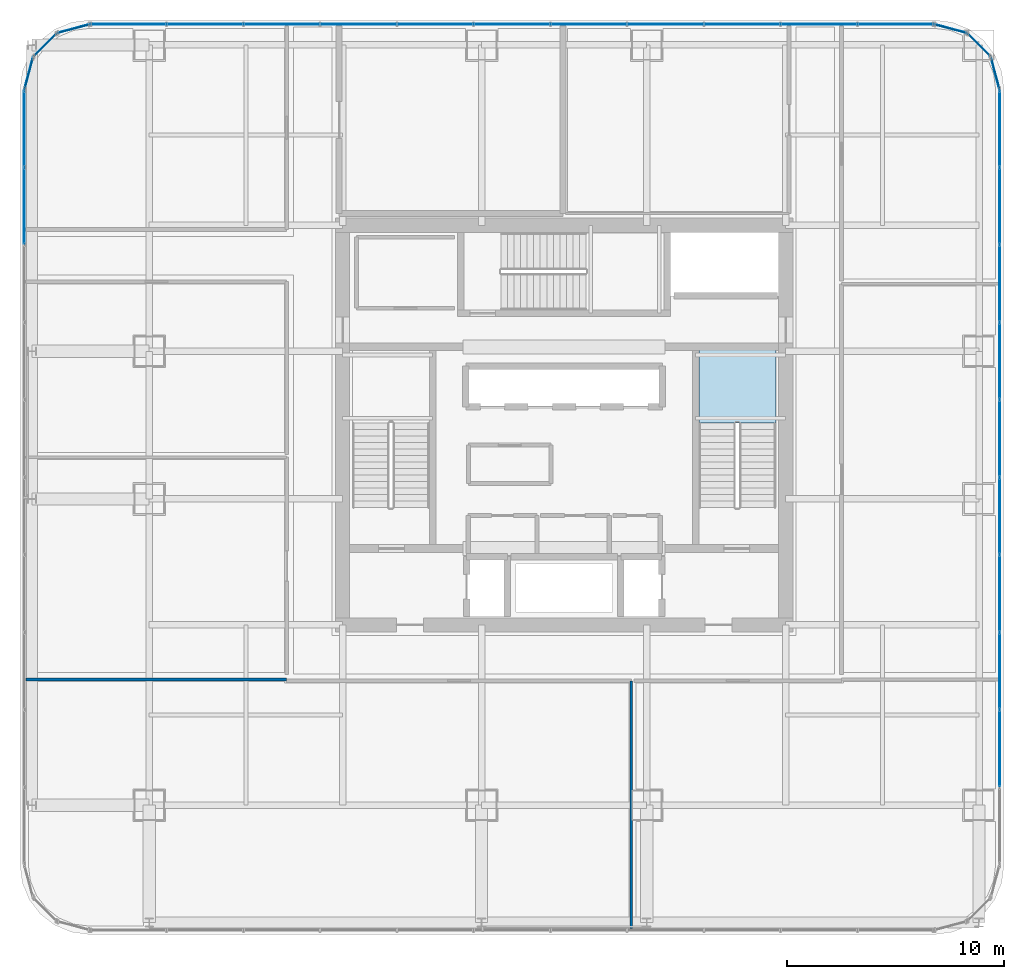
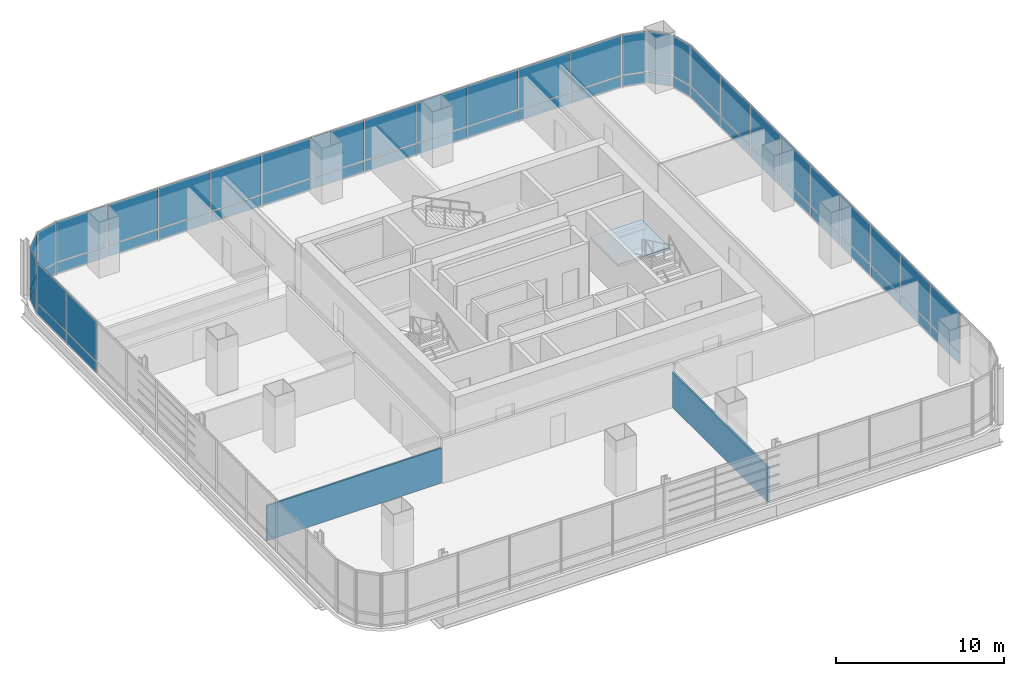
# One storey, part 28 of 36: 56 plates, 2 walls, 1 slab, 10 elements without a shape of their own.
"""IFC4 building model written with IfcOpenShell, lengths in metres."""

from ifc_helpers import new_model, si_unit, direction, frame, frame_2d, origin, origin_2d, place, context, subcontext, project, spatial, polyline, rectangle, outline, extrude, material, layer, layer_set, type_object, element, aggregate, save


model = new_model("IFC4")

# Units and contexts
model_context = context("Model", 3, precision=1e-05, world=origin(), true_north=direction((0.0, 1.0)))
body_context = subcontext(model_context, "Body", "Model", "MODEL_VIEW")
ifc_project = project(units=[si_unit("LENGTHUNIT", "METRE"), si_unit("AREAUNIT", "SQUARE_METRE"), si_unit("VOLUMEUNIT", "CUBIC_METRE"), si_unit("PLANEANGLEUNIT", "RADIAN"), si_unit("MASSUNIT", "GRAM", prefix="KILO")], contexts=[model_context])

# Site, building, storey
site_placement = place(None, origin())
site = spatial("IfcSite", under=ifc_project, at=site_placement, CompositionType="ELEMENT")
building_placement = place(site_placement, origin())
building = spatial("IfcBuilding", under=site, at=building_placement, Name="Punatoya Terracotta Tower", CompositionType="ELEMENT")
storey_placement = place(building_placement, frame((0.0, 0.0, 180.300048828125)))
storey = spatial("IfcBuildingStorey", under=building, at=storey_placement, Name="L42", CompositionType="ELEMENT", Elevation=180.300048828125)

# Curtain wall, plates
ifc_material_1 = material(Name="Aluminium 6063-T6 + Double Low-E Glass", Category="aluminium")
curtain_wall_type = type_object("IfcCurtainWallType", Name="CW-M2", PredefinedType="NOTDEFINED", material=ifc_material_1)
curtain_wall_1_placement = place(storey_placement, origin())
curtain_wall_1 = element("IfcCurtainWall", 1, at=curtain_wall_1_placement, inside=storey, type_object=curtain_wall_type, Name="L42 Curtain Wall CW-L42-E05-1", PredefinedType="NOTDEFINED")
ifc_material_2 = material(Name="Double Low-E Acoustic Vision Glass", Category="glass")
ifc_layer_1 = layer(ifc_material_2, 0.031982421875)
ifc_layer_set_1 = layer_set([ifc_layer_1], Name="Double Low-E Acoustic Vision Glass")
plate_type_1 = type_object("IfcPlateType", Name="PLT-GLZ-32", PredefinedType="CURTAIN_PANEL", material=ifc_layer_set_1)
plate_1_placement = place(storey_placement, frame((20.050048828125, -14.8857421875, 0.889892578125), z_axis=(0.0, 0.0, 1.0), x_axis=(0.0, 1.0, 0.0)))
plate_1 = element("IfcPlate", 2, at=plate_1_placement, type_object=plate_type_1, Name="CW-L42-E05-1 Vision Glass Panel 2", PredefinedType="CURTAIN_PANEL", context=body_context, shape_type="SweptSolid", body=[
    extrude(rectangle(XDim=3.482421875, YDim=0.031982421875, at=origin_2d()), origin(), (0.0, 0.0, 1.0), 2.89990234375),
])
plate_2_placement = place(storey_placement, frame((20.050048828125, -11.318359375, 0.889892578125), z_axis=(0.0, 0.0, 1.0), x_axis=(0.0, 1.0, 0.0)))
plate_2 = element("IfcPlate", 3, at=plate_2_placement, type_object=plate_type_1, Name="CW-L42-E05-1 Vision Glass Panel 3", PredefinedType="CURTAIN_PANEL", context=body_context, shape_type="SweptSolid", body=[
    extrude(rectangle(XDim=3.482421875, YDim=0.031982421875, at=origin_2d()), origin(), (0.0, 0.0, 1.0), 2.89990234375),
])
plate_3_placement = place(storey_placement, frame((20.050048828125, -7.751220703125, 0.889892578125), z_axis=(0.0, 0.0, 1.0), x_axis=(0.0, 1.0, 0.0)))
plate_3 = element("IfcPlate", 4, at=plate_3_placement, type_object=plate_type_1, Name="CW-L42-E05-1 Vision Glass Panel 4", PredefinedType="CURTAIN_PANEL", context=body_context, shape_type="SweptSolid", body=[
    extrude(rectangle(XDim=3.482421875, YDim=0.031982421875, at=origin_2d()), origin(), (0.0, 0.0, 1.0), 2.89990234375),
])
plate_4_placement = place(storey_placement, frame((20.050048828125, -4.18359375, 0.889892578125), z_axis=(0.0, 0.0, 1.0), x_axis=(0.0, 1.0, 0.0)))
plate_4 = element("IfcPlate", 5, at=plate_4_placement, type_object=plate_type_1, Name="CW-L42-E05-1 Vision Glass Panel 5", PredefinedType="CURTAIN_PANEL", context=body_context, shape_type="SweptSolid", body=[
    extrude(rectangle(XDim=3.482421875, YDim=0.031982421875, at=origin_2d()), origin(), (0.0, 0.0, 1.0), 2.89990234375),
])
plate_5_placement = place(storey_placement, frame((20.050048828125, -0.6162109375, 0.889892578125), z_axis=(0.0, 0.0, 1.0), x_axis=(0.0, 1.0, 0.0)))
plate_5 = element("IfcPlate", 6, at=plate_5_placement, type_object=plate_type_1, Name="CW-L42-E05-1 Vision Glass Panel 6", PredefinedType="CURTAIN_PANEL", context=body_context, shape_type="SweptSolid", body=[
    extrude(rectangle(XDim=3.482421875, YDim=0.031982421875, at=origin_2d()), origin(), (0.0, 0.0, 1.0), 2.89990234375),
])
plate_6_placement = place(storey_placement, frame((20.050048828125, 2.951171875, 0.889892578125), z_axis=(0.0, 0.0, 1.0), x_axis=(0.0, 1.0, 0.0)))
plate_6 = element("IfcPlate", 7, at=plate_6_placement, type_object=plate_type_1, Name="CW-L42-E05-1 Vision Glass Panel 7", PredefinedType="CURTAIN_PANEL", context=body_context, shape_type="SweptSolid", body=[
    extrude(rectangle(XDim=3.482421875, YDim=0.031982421875, at=origin_2d()), origin(), (0.0, 0.0, 1.0), 2.89990234375),
])
plate_7_placement = place(storey_placement, frame((20.050048828125, 6.518310546875, 0.889892578125), z_axis=(0.0, 0.0, 1.0), x_axis=(0.0, 1.0, 0.0)))
plate_7 = element("IfcPlate", 8, at=plate_7_placement, type_object=plate_type_1, Name="CW-L42-E05-1 Vision Glass Panel 8", PredefinedType="CURTAIN_PANEL", context=body_context, shape_type="SweptSolid", body=[
    extrude(rectangle(XDim=3.482421875, YDim=0.031982421875, at=origin_2d()), origin(), (0.0, 0.0, 1.0), 2.89990234375),
])
plate_8_placement = place(storey_placement, frame((20.050048828125, 10.085693359375, 0.889892578125), z_axis=(0.0, 0.0, 1.0), x_axis=(0.0, 1.0, 0.0)))
plate_8 = element("IfcPlate", 9, at=plate_8_placement, type_object=plate_type_1, Name="CW-L42-E05-1 Vision Glass Panel 9", PredefinedType="CURTAIN_PANEL", context=body_context, shape_type="SweptSolid", body=[
    extrude(rectangle(XDim=3.482421875, YDim=0.031982421875, at=origin_2d()), origin(), (0.0, 0.0, 1.0), 2.89990234375),
])
plate_9_placement = place(storey_placement, frame((20.050048828125, 13.6533203125, 0.889892578125), z_axis=(0.0, 0.0, 1.0), x_axis=(0.0, 1.0, 0.0)))
plate_9 = element("IfcPlate", 10, at=plate_9_placement, type_object=plate_type_1, Name="CW-L42-E05-1 Vision Glass Panel 10", PredefinedType="CURTAIN_PANEL", context=body_context, shape_type="SweptSolid", body=[
    extrude(rectangle(XDim=3.482421875, YDim=0.031982421875, at=origin_2d()), origin(), (0.0, 0.0, 1.0), 2.89990234375),
])

# Curtain wall, plate
curtain_wall_2_placement = place(storey_placement, origin())
curtain_wall_2 = element("IfcCurtainWall", 11, at=curtain_wall_2_placement, inside=storey, type_object=curtain_wall_type, Name="L42 Curtain Wall CW-L42-CRN06", PredefinedType="NOTDEFINED")
plate_10_placement = place(storey_placement, frame((19.848388671875, 16.193115234375, 0.889892578125), z_axis=(0.0, 0.0, 1.0), x_axis=(-0.257741620719, 0.966213877436, 0.0)))
plate_10 = element("IfcPlate", 12, at=plate_10_placement, type_object=plate_type_1, Name="CW-L42-CRN06 Vision Glass Panel 1", PredefinedType="CURTAIN_PANEL", context=body_context, shape_type="SweptSolid", body=[
    extrude(rectangle(XDim=1.47998046875, YDim=0.031982421875, at=origin_2d()), origin(), (0.0, 0.0, 1.0), 2.89990234375),
])

curtain_wall_3_placement = place(storey_placement, origin())
curtain_wall_3 = element("IfcCurtainWall", 13, at=curtain_wall_3_placement, inside=storey, type_object=curtain_wall_type, Name="L42 Curtain Wall CW-L42-CRN07", PredefinedType="NOTDEFINED")
plate_11_placement = place(storey_placement, frame((19.097900390625, 17.497802734375, 0.889892578125), z_axis=(0.0, 0.0, 1.0), x_axis=(-0.707106781187, 0.707106781187, 0.0)))
plate_11 = element("IfcPlate", 14, at=plate_11_placement, type_object=plate_type_1, Name="CW-L42-CRN07 Vision Glass Panel 1", PredefinedType="CURTAIN_PANEL", context=body_context, shape_type="SweptSolid", body=[
    extrude(rectangle(XDim=1.467041015625, YDim=0.031982421875, at=origin_2d()), origin(), (0.0, 0.0, 1.0), 2.89990234375),
])

curtain_wall_4_placement = place(storey_placement, origin())
curtain_wall_4 = element("IfcCurtainWall", 15, at=curtain_wall_4_placement, inside=storey, type_object=curtain_wall_type, Name="L42 Curtain Wall CW-L42-CRN08", PredefinedType="NOTDEFINED")
plate_12_placement = place(storey_placement, frame((17.79296875, 18.248291015625, 0.889892578125), z_axis=(0.0, 0.0, 1.0), x_axis=(-0.966213877436, 0.257741620719, 0.0)))
plate_12 = element("IfcPlate", 16, at=plate_12_placement, type_object=plate_type_1, Name="CW-L42-CRN08 Vision Glass Panel 1", PredefinedType="CURTAIN_PANEL", context=body_context, shape_type="SweptSolid", body=[
    extrude(rectangle(XDim=1.47998046875, YDim=0.031982421875, at=origin_2d()), origin(), (0.0, 0.0, 1.0), 2.89990234375),
])

# Curtain wall, plates
curtain_wall_5_placement = place(storey_placement, origin())
curtain_wall_5 = element("IfcCurtainWall", 17, at=curtain_wall_5_placement, inside=storey, type_object=curtain_wall_type, Name="L42 Curtain Wall CW-L42-N09-1", PredefinedType="NOTDEFINED")
plate_13_placement = place(storey_placement, frame((15.27001953125, 18.449951171875, 0.889892578125), z_axis=(0.0, 0.0, 1.0), x_axis=(-1.0, 0.0, 0.0)))
plate_13 = element("IfcPlate", 18, at=plate_13_placement, type_object=plate_type_1, Name="CW-L42-N09-1 Vision Glass Panel 1", PredefinedType="CURTAIN_PANEL", context=body_context, shape_type="SweptSolid", body=[
    extrude(rectangle(XDim=3.448974609375, YDim=0.031982421875, at=origin_2d()), origin(), (0.0, 0.0, 1.0), 2.89990234375),
])
plate_14_placement = place(storey_placement, frame((11.73583984375, 18.449951171875, 0.889892578125), z_axis=(0.0, 0.0, 1.0), x_axis=(-1.0, 0.0, 0.0)))
plate_14 = element("IfcPlate", 19, at=plate_14_placement, type_object=plate_type_1, Name="CW-L42-N09-1 Vision Glass Panel 2", PredefinedType="CURTAIN_PANEL", context=body_context, shape_type="SweptSolid", body=[
    extrude(rectangle(XDim=3.448974609375, YDim=0.031982421875, at=origin_2d()), origin(), (0.0, 0.0, 1.0), 2.89990234375),
])
plate_15_placement = place(storey_placement, frame((8.201904296875, 18.449951171875, 0.889892578125), z_axis=(0.0, 0.0, 1.0), x_axis=(-1.0, 0.0, 0.0)))
plate_15 = element("IfcPlate", 20, at=plate_15_placement, type_object=plate_type_1, Name="CW-L42-N09-1 Vision Glass Panel 3", PredefinedType="CURTAIN_PANEL", context=body_context, shape_type="SweptSolid", body=[
    extrude(rectangle(XDim=3.448974609375, YDim=0.031982421875, at=origin_2d()), origin(), (0.0, 0.0, 1.0), 2.89990234375),
])
plate_16_placement = place(storey_placement, frame((4.66796875, 18.449951171875, 0.889892578125), z_axis=(0.0, 0.0, 1.0), x_axis=(-1.0, 0.0, 0.0)))
plate_16 = element("IfcPlate", 21, at=plate_16_placement, type_object=plate_type_1, Name="CW-L42-N09-1 Vision Glass Panel 4", PredefinedType="CURTAIN_PANEL", context=body_context, shape_type="SweptSolid", body=[
    extrude(rectangle(XDim=3.448974609375, YDim=0.031982421875, at=origin_2d()), origin(), (0.0, 0.0, 1.0), 2.89990234375),
])
plate_17_placement = place(storey_placement, frame((1.134033203125, 18.449951171875, 0.889892578125), z_axis=(0.0, 0.0, 1.0), x_axis=(-1.0, 0.0, 0.0)))
plate_17 = element("IfcPlate", 22, at=plate_17_placement, type_object=plate_type_1, Name="CW-L42-N09-1 Vision Glass Panel 5", PredefinedType="CURTAIN_PANEL", context=body_context, shape_type="SweptSolid", body=[
    extrude(rectangle(XDim=3.448974609375, YDim=0.031982421875, at=origin_2d()), origin(), (0.0, 0.0, 1.0), 2.89990234375),
])
plate_18_placement = place(storey_placement, frame((-2.39990234375, 18.449951171875, 0.889892578125), z_axis=(0.0, 0.0, 1.0), x_axis=(-1.0, 0.0, 0.0)))
plate_18 = element("IfcPlate", 23, at=plate_18_placement, type_object=plate_type_1, Name="CW-L42-N09-1 Vision Glass Panel 6", PredefinedType="CURTAIN_PANEL", context=body_context, shape_type="SweptSolid", body=[
    extrude(rectangle(XDim=3.448974609375, YDim=0.031982421875, at=origin_2d()), origin(), (0.0, 0.0, 1.0), 2.89990234375),
])
plate_19_placement = place(storey_placement, frame((-5.93408203125, 18.449951171875, 0.889892578125), z_axis=(0.0, 0.0, 1.0), x_axis=(-1.0, 0.0, 0.0)))
plate_19 = element("IfcPlate", 24, at=plate_19_placement, type_object=plate_type_1, Name="CW-L42-N09-1 Vision Glass Panel 7", PredefinedType="CURTAIN_PANEL", context=body_context, shape_type="SweptSolid", body=[
    extrude(rectangle(XDim=3.448974609375, YDim=0.031982421875, at=origin_2d()), origin(), (0.0, 0.0, 1.0), 2.89990234375),
])
plate_20_placement = place(storey_placement, frame((-9.468017578125, 18.449951171875, 0.889892578125), z_axis=(0.0, 0.0, 1.0), x_axis=(-1.0, 0.0, 0.0)))
plate_20 = element("IfcPlate", 25, at=plate_20_placement, type_object=plate_type_1, Name="CW-L42-N09-1 Vision Glass Panel 8", PredefinedType="CURTAIN_PANEL", context=body_context, shape_type="SweptSolid", body=[
    extrude(rectangle(XDim=3.448974609375, YDim=0.031982421875, at=origin_2d()), origin(), (0.0, 0.0, 1.0), 2.89990234375),
])
plate_21_placement = place(storey_placement, frame((-13.001953125, 18.449951171875, 0.889892578125), z_axis=(0.0, 0.0, 1.0), x_axis=(-1.0, 0.0, 0.0)))
plate_21 = element("IfcPlate", 26, at=plate_21_placement, type_object=plate_type_1, Name="CW-L42-N09-1 Vision Glass Panel 9", PredefinedType="CURTAIN_PANEL", context=body_context, shape_type="SweptSolid", body=[
    extrude(rectangle(XDim=3.448974609375, YDim=0.031982421875, at=origin_2d()), origin(), (0.0, 0.0, 1.0), 2.89990234375),
])
plate_22_placement = place(storey_placement, frame((-16.535888671875, 18.449951171875, 0.889892578125), z_axis=(0.0, 0.0, 1.0), x_axis=(-1.0, 0.0, 0.0)))
plate_22 = element("IfcPlate", 27, at=plate_22_placement, type_object=plate_type_1, Name="CW-L42-N09-1 Vision Glass Panel 10", PredefinedType="CURTAIN_PANEL", context=body_context, shape_type="SweptSolid", body=[
    extrude(rectangle(XDim=3.448974609375, YDim=0.031982421875, at=origin_2d()), origin(), (0.0, 0.0, 1.0), 2.89990234375),
])
plate_23_placement = place(storey_placement, frame((-20.06982421875, 18.449951171875, 0.889892578125), z_axis=(0.0, 0.0, 1.0), x_axis=(-1.0, 0.0, 0.0)))
plate_23 = element("IfcPlate", 28, at=plate_23_placement, type_object=plate_type_1, Name="CW-L42-N09-1 Vision Glass Panel 11", PredefinedType="CURTAIN_PANEL", context=body_context, shape_type="SweptSolid", body=[
    extrude(rectangle(XDim=3.448974609375, YDim=0.031982421875, at=origin_2d()), origin(), (0.0, 0.0, 1.0), 2.89990234375),
])

# Curtain wall, plate
curtain_wall_6_placement = place(storey_placement, origin())
curtain_wall_6 = element("IfcCurtainWall", 29, at=curtain_wall_6_placement, inside=storey, type_object=curtain_wall_type, Name="L42 Curtain Wall CW-L42-CRN10", PredefinedType="NOTDEFINED")
plate_24_placement = place(storey_placement, frame((-22.593017578125, 18.248291015625, 0.889892578125), z_axis=(0.0, 0.0, 1.0), x_axis=(-0.966213877436, -0.257741620719, 0.0)))
plate_24 = element("IfcPlate", 30, at=plate_24_placement, type_object=plate_type_1, Name="CW-L42-CRN10 Vision Glass Panel 1", PredefinedType="CURTAIN_PANEL", context=body_context, shape_type="SweptSolid", body=[
    extrude(rectangle(XDim=1.47998046875, YDim=0.031982421875, at=origin_2d()), origin(), (0.0, 0.0, 1.0), 2.89990234375),
])

curtain_wall_7_placement = place(storey_placement, origin())
curtain_wall_7 = element("IfcCurtainWall", 31, at=curtain_wall_7_placement, inside=storey, type_object=curtain_wall_type, Name="L42 Curtain Wall CW-L42-CRN11", PredefinedType="NOTDEFINED")
plate_25_placement = place(storey_placement, frame((-23.89794921875, 17.497802734375, 0.889892578125), z_axis=(0.0, 0.0, 1.0), x_axis=(-0.707106781187, -0.707106781187, 0.0)))
plate_25 = element("IfcPlate", 32, at=plate_25_placement, type_object=plate_type_1, Name="CW-L42-CRN11 Vision Glass Panel 1", PredefinedType="CURTAIN_PANEL", context=body_context, shape_type="SweptSolid", body=[
    extrude(rectangle(XDim=1.467041015625, YDim=0.031982421875, at=origin_2d()), origin(), (0.0, 0.0, 1.0), 2.89990234375),
])

curtain_wall_8_placement = place(storey_placement, origin())
curtain_wall_8 = element("IfcCurtainWall", 33, at=curtain_wall_8_placement, inside=storey, type_object=curtain_wall_type, Name="L42 Curtain Wall CW-L42-CRN12", PredefinedType="NOTDEFINED")
plate_26_placement = place(storey_placement, frame((-24.648193359375, 16.193115234375, 0.889892578125), z_axis=(0.0, 0.0, 1.0), x_axis=(-0.257741620719, -0.966213877436, 0.0)))
plate_26 = element("IfcPlate", 34, at=plate_26_placement, type_object=plate_type_1, Name="CW-L42-CRN12 Vision Glass Panel 1", PredefinedType="CURTAIN_PANEL", context=body_context, shape_type="SweptSolid", body=[
    extrude(rectangle(XDim=1.47998046875, YDim=0.031982421875, at=origin_2d()), origin(), (0.0, 0.0, 1.0), 2.89990234375),
])

# Curtain wall, plates
curtain_wall_9_placement = place(storey_placement, origin())
curtain_wall_9 = element("IfcCurtainWall", 35, at=curtain_wall_9_placement, inside=storey, type_object=curtain_wall_type, Name="L42 Curtain Wall CW-L42-W13-1", PredefinedType="NOTDEFINED")
plate_27_placement = place(storey_placement, frame((-24.85009765625, 13.6533203125, 0.889892578125), z_axis=(0.0, 0.0, 1.0), x_axis=(0.0, -1.0, 0.0)))
plate_27 = element("IfcPlate", 36, at=plate_27_placement, type_object=plate_type_1, Name="CW-L42-W13-1 Vision Glass Panel 1", PredefinedType="CURTAIN_PANEL", context=body_context, shape_type="SweptSolid", body=[
    extrude(rectangle(XDim=3.482421875, YDim=0.031982421875, at=origin_2d()), origin(), (0.0, 0.0, 1.0), 2.89990234375),
])
plate_28_placement = place(storey_placement, frame((-24.85009765625, 10.085693359375, 0.889892578125), z_axis=(0.0, 0.0, 1.0), x_axis=(0.0, -1.0, 0.0)))
plate_28 = element("IfcPlate", 37, at=plate_28_placement, type_object=plate_type_1, Name="CW-L42-W13-1 Vision Glass Panel 2", PredefinedType="CURTAIN_PANEL", context=body_context, shape_type="SweptSolid", body=[
    extrude(rectangle(XDim=3.482421875, YDim=0.031982421875, at=origin_2d()), origin(), (0.0, 0.0, 1.0), 2.89990234375),
])

# Plate
ifc_material_3 = material(Name="Insulated Terracotta-Backed Spandrel Panel", Category="masonry")
ifc_layer_2 = layer(ifc_material_3, 0.044921875)
ifc_layer_set_2 = layer_set([ifc_layer_2], Name="Insulated Terracotta-Backed Spandrel Panel")
plate_type_2 = type_object("IfcPlateType", Name="PLT-SPN-45", PredefinedType="CURTAIN_PANEL", material=ifc_layer_set_2)
plate_29_placement = place(storey_placement, frame((20.050048828125, -14.8857421875, 0.0400390625), z_axis=(0.0, 0.0, 1.0), x_axis=(0.0, 1.0, 0.0)))
plate_29 = element("IfcPlate", 38, at=plate_29_placement, type_object=plate_type_2, Name="CW-L42-E05-1 Terracotta Spandrel Panel 2", PredefinedType="CURTAIN_PANEL", context=body_context, shape_type="SweptSolid", body=[
    extrude(rectangle(XDim=3.482421875, YDim=0.044921875, at=origin_2d()), origin(), (0.0, 0.0, 1.0), 0.77490234375),
])

plate_30_placement = place(storey_placement, frame((20.050048828125, -11.318359375, 0.0400390625), z_axis=(0.0, 0.0, 1.0), x_axis=(0.0, 1.0, 0.0)))
plate_30 = element("IfcPlate", 39, at=plate_30_placement, type_object=plate_type_2, Name="CW-L42-E05-1 Terracotta Spandrel Panel 3", PredefinedType="CURTAIN_PANEL", context=body_context, shape_type="SweptSolid", body=[
    extrude(rectangle(XDim=3.482421875, YDim=0.044921875, at=origin_2d()), origin(), (0.0, 0.0, 1.0), 0.77490234375),
])

plate_31_placement = place(storey_placement, frame((20.050048828125, -7.751220703125, 0.0400390625), z_axis=(0.0, 0.0, 1.0), x_axis=(0.0, 1.0, 0.0)))
plate_31 = element("IfcPlate", 40, at=plate_31_placement, type_object=plate_type_2, Name="CW-L42-E05-1 Terracotta Spandrel Panel 4", PredefinedType="CURTAIN_PANEL", context=body_context, shape_type="SweptSolid", body=[
    extrude(rectangle(XDim=3.482421875, YDim=0.044921875, at=origin_2d()), origin(), (0.0, 0.0, 1.0), 0.77490234375),
])

plate_32_placement = place(storey_placement, frame((20.050048828125, -4.18359375, 0.0400390625), z_axis=(0.0, 0.0, 1.0), x_axis=(0.0, 1.0, 0.0)))
plate_32 = element("IfcPlate", 41, at=plate_32_placement, type_object=plate_type_2, Name="CW-L42-E05-1 Terracotta Spandrel Panel 5", PredefinedType="CURTAIN_PANEL", context=body_context, shape_type="SweptSolid", body=[
    extrude(rectangle(XDim=3.482421875, YDim=0.044921875, at=origin_2d()), origin(), (0.0, 0.0, 1.0), 0.77490234375),
])

plate_33_placement = place(storey_placement, frame((20.050048828125, -0.6162109375, 0.0400390625), z_axis=(0.0, 0.0, 1.0), x_axis=(0.0, 1.0, 0.0)))
plate_33 = element("IfcPlate", 42, at=plate_33_placement, type_object=plate_type_2, Name="CW-L42-E05-1 Terracotta Spandrel Panel 6", PredefinedType="CURTAIN_PANEL", context=body_context, shape_type="SweptSolid", body=[
    extrude(rectangle(XDim=3.482421875, YDim=0.044921875, at=origin_2d()), origin(), (0.0, 0.0, 1.0), 0.77490234375),
])

plate_34_placement = place(storey_placement, frame((20.050048828125, 2.951171875, 0.0400390625), z_axis=(0.0, 0.0, 1.0), x_axis=(0.0, 1.0, 0.0)))
plate_34 = element("IfcPlate", 43, at=plate_34_placement, type_object=plate_type_2, Name="CW-L42-E05-1 Terracotta Spandrel Panel 7", PredefinedType="CURTAIN_PANEL", context=body_context, shape_type="SweptSolid", body=[
    extrude(rectangle(XDim=3.482421875, YDim=0.044921875, at=origin_2d()), origin(), (0.0, 0.0, 1.0), 0.77490234375),
])

plate_35_placement = place(storey_placement, frame((20.050048828125, 6.518310546875, 0.0400390625), z_axis=(0.0, 0.0, 1.0), x_axis=(0.0, 1.0, 0.0)))
plate_35 = element("IfcPlate", 44, at=plate_35_placement, type_object=plate_type_2, Name="CW-L42-E05-1 Terracotta Spandrel Panel 8", PredefinedType="CURTAIN_PANEL", context=body_context, shape_type="SweptSolid", body=[
    extrude(rectangle(XDim=3.482421875, YDim=0.044921875, at=origin_2d()), origin(), (0.0, 0.0, 1.0), 0.77490234375),
])

plate_36_placement = place(storey_placement, frame((20.050048828125, 10.085693359375, 0.0400390625), z_axis=(0.0, 0.0, 1.0), x_axis=(0.0, 1.0, 0.0)))
plate_36 = element("IfcPlate", 45, at=plate_36_placement, type_object=plate_type_2, Name="CW-L42-E05-1 Terracotta Spandrel Panel 9", PredefinedType="CURTAIN_PANEL", context=body_context, shape_type="SweptSolid", body=[
    extrude(rectangle(XDim=3.482421875, YDim=0.044921875, at=origin_2d()), origin(), (0.0, 0.0, 1.0), 0.77490234375),
])

plate_37_placement = place(storey_placement, frame((20.050048828125, 13.6533203125, 0.0400390625), z_axis=(0.0, 0.0, 1.0), x_axis=(0.0, 1.0, 0.0)))
plate_37 = element("IfcPlate", 46, at=plate_37_placement, type_object=plate_type_2, Name="CW-L42-E05-1 Terracotta Spandrel Panel 10", PredefinedType="CURTAIN_PANEL", context=body_context, shape_type="SweptSolid", body=[
    extrude(rectangle(XDim=3.482421875, YDim=0.044921875, at=origin_2d()), origin(), (0.0, 0.0, 1.0), 0.77490234375),
])

aggregate(curtain_wall_1, [plate_29, plate_1, plate_30, plate_2, plate_31, plate_3, plate_32, plate_4, plate_33, plate_5, plate_34, plate_6, plate_35, plate_7, plate_36, plate_8, plate_37, plate_9])

plate_38_placement = place(storey_placement, frame((19.848388671875, 16.193115234375, 0.0400390625), z_axis=(0.0, 0.0, 1.0), x_axis=(-0.257741620719, 0.966213877436, 0.0)))
plate_38 = element("IfcPlate", 47, at=plate_38_placement, type_object=plate_type_2, Name="CW-L42-CRN06 Terracotta Spandrel Panel 1", PredefinedType="CURTAIN_PANEL", context=body_context, shape_type="SweptSolid", body=[
    extrude(rectangle(XDim=1.47998046875, YDim=0.044921875, at=origin_2d()), origin(), (0.0, 0.0, 1.0), 0.77490234375),
])

aggregate(curtain_wall_2, [plate_38, plate_10])

plate_39_placement = place(storey_placement, frame((19.097900390625, 17.497802734375, 0.0400390625), z_axis=(0.0, 0.0, 1.0), x_axis=(-0.707106781187, 0.707106781187, 0.0)))
plate_39 = element("IfcPlate", 48, at=plate_39_placement, type_object=plate_type_2, Name="CW-L42-CRN07 Terracotta Spandrel Panel 1", PredefinedType="CURTAIN_PANEL", context=body_context, shape_type="SweptSolid", body=[
    extrude(rectangle(XDim=1.467041015625, YDim=0.044921875, at=origin_2d()), origin(), (0.0, 0.0, 1.0), 0.77490234375),
])

aggregate(curtain_wall_3, [plate_39, plate_11])

plate_40_placement = place(storey_placement, frame((17.79296875, 18.248291015625, 0.0400390625), z_axis=(0.0, 0.0, 1.0), x_axis=(-0.966213877436, 0.257741620719, 0.0)))
plate_40 = element("IfcPlate", 49, at=plate_40_placement, type_object=plate_type_2, Name="CW-L42-CRN08 Terracotta Spandrel Panel 1", PredefinedType="CURTAIN_PANEL", context=body_context, shape_type="SweptSolid", body=[
    extrude(rectangle(XDim=1.47998046875, YDim=0.044921875, at=origin_2d()), origin(), (0.0, 0.0, 1.0), 0.77490234375),
])

aggregate(curtain_wall_4, [plate_40, plate_12])

plate_41_placement = place(storey_placement, frame((15.27001953125, 18.449951171875, 0.0400390625), z_axis=(0.0, 0.0, 1.0), x_axis=(-1.0, 0.0, 0.0)))
plate_41 = element("IfcPlate", 50, at=plate_41_placement, type_object=plate_type_2, Name="CW-L42-N09-1 Terracotta Spandrel Panel 1", PredefinedType="CURTAIN_PANEL", context=body_context, shape_type="SweptSolid", body=[
    extrude(rectangle(XDim=3.448974609375, YDim=0.044921875, at=origin_2d()), origin(), (0.0, 0.0, 1.0), 0.77490234375),
])

plate_42_placement = place(storey_placement, frame((11.73583984375, 18.449951171875, 0.0400390625), z_axis=(0.0, 0.0, 1.0), x_axis=(-1.0, 0.0, 0.0)))
plate_42 = element("IfcPlate", 51, at=plate_42_placement, type_object=plate_type_2, Name="CW-L42-N09-1 Terracotta Spandrel Panel 2", PredefinedType="CURTAIN_PANEL", context=body_context, shape_type="SweptSolid", body=[
    extrude(rectangle(XDim=3.448974609375, YDim=0.044921875, at=origin_2d()), origin(), (0.0, 0.0, 1.0), 0.77490234375),
])

plate_43_placement = place(storey_placement, frame((8.201904296875, 18.449951171875, 0.0400390625), z_axis=(0.0, 0.0, 1.0), x_axis=(-1.0, 0.0, 0.0)))
plate_43 = element("IfcPlate", 52, at=plate_43_placement, type_object=plate_type_2, Name="CW-L42-N09-1 Terracotta Spandrel Panel 3", PredefinedType="CURTAIN_PANEL", context=body_context, shape_type="SweptSolid", body=[
    extrude(rectangle(XDim=3.448974609375, YDim=0.044921875, at=origin_2d()), origin(), (0.0, 0.0, 1.0), 0.77490234375),
])

plate_44_placement = place(storey_placement, frame((4.66796875, 18.449951171875, 0.0400390625), z_axis=(0.0, 0.0, 1.0), x_axis=(-1.0, 0.0, 0.0)))
plate_44 = element("IfcPlate", 53, at=plate_44_placement, type_object=plate_type_2, Name="CW-L42-N09-1 Terracotta Spandrel Panel 4", PredefinedType="CURTAIN_PANEL", context=body_context, shape_type="SweptSolid", body=[
    extrude(rectangle(XDim=3.448974609375, YDim=0.044921875, at=origin_2d()), origin(), (0.0, 0.0, 1.0), 0.77490234375),
])

plate_45_placement = place(storey_placement, frame((1.134033203125, 18.449951171875, 0.0400390625), z_axis=(0.0, 0.0, 1.0), x_axis=(-1.0, 0.0, 0.0)))
plate_45 = element("IfcPlate", 54, at=plate_45_placement, type_object=plate_type_2, Name="CW-L42-N09-1 Terracotta Spandrel Panel 5", PredefinedType="CURTAIN_PANEL", context=body_context, shape_type="SweptSolid", body=[
    extrude(rectangle(XDim=3.448974609375, YDim=0.044921875, at=origin_2d()), origin(), (0.0, 0.0, 1.0), 0.77490234375),
])

plate_46_placement = place(storey_placement, frame((-2.39990234375, 18.449951171875, 0.0400390625), z_axis=(0.0, 0.0, 1.0), x_axis=(-1.0, 0.0, 0.0)))
plate_46 = element("IfcPlate", 55, at=plate_46_placement, type_object=plate_type_2, Name="CW-L42-N09-1 Terracotta Spandrel Panel 6", PredefinedType="CURTAIN_PANEL", context=body_context, shape_type="SweptSolid", body=[
    extrude(rectangle(XDim=3.448974609375, YDim=0.044921875, at=origin_2d()), origin(), (0.0, 0.0, 1.0), 0.77490234375),
])

plate_47_placement = place(storey_placement, frame((-5.93408203125, 18.449951171875, 0.0400390625), z_axis=(0.0, 0.0, 1.0), x_axis=(-1.0, 0.0, 0.0)))
plate_47 = element("IfcPlate", 56, at=plate_47_placement, type_object=plate_type_2, Name="CW-L42-N09-1 Terracotta Spandrel Panel 7", PredefinedType="CURTAIN_PANEL", context=body_context, shape_type="SweptSolid", body=[
    extrude(rectangle(XDim=3.448974609375, YDim=0.044921875, at=origin_2d()), origin(), (0.0, 0.0, 1.0), 0.77490234375),
])

plate_48_placement = place(storey_placement, frame((-9.468017578125, 18.449951171875, 0.0400390625), z_axis=(0.0, 0.0, 1.0), x_axis=(-1.0, 0.0, 0.0)))
plate_48 = element("IfcPlate", 57, at=plate_48_placement, type_object=plate_type_2, Name="CW-L42-N09-1 Terracotta Spandrel Panel 8", PredefinedType="CURTAIN_PANEL", context=body_context, shape_type="SweptSolid", body=[
    extrude(rectangle(XDim=3.448974609375, YDim=0.044921875, at=origin_2d()), origin(), (0.0, 0.0, 1.0), 0.77490234375),
])

plate_49_placement = place(storey_placement, frame((-13.001953125, 18.449951171875, 0.0400390625), z_axis=(0.0, 0.0, 1.0), x_axis=(-1.0, 0.0, 0.0)))
plate_49 = element("IfcPlate", 58, at=plate_49_placement, type_object=plate_type_2, Name="CW-L42-N09-1 Terracotta Spandrel Panel 9", PredefinedType="CURTAIN_PANEL", context=body_context, shape_type="SweptSolid", body=[
    extrude(rectangle(XDim=3.448974609375, YDim=0.044921875, at=origin_2d()), origin(), (0.0, 0.0, 1.0), 0.77490234375),
])

plate_50_placement = place(storey_placement, frame((-16.535888671875, 18.449951171875, 0.0400390625), z_axis=(0.0, 0.0, 1.0), x_axis=(-1.0, 0.0, 0.0)))
plate_50 = element("IfcPlate", 59, at=plate_50_placement, type_object=plate_type_2, Name="CW-L42-N09-1 Terracotta Spandrel Panel 10", PredefinedType="CURTAIN_PANEL", context=body_context, shape_type="SweptSolid", body=[
    extrude(rectangle(XDim=3.448974609375, YDim=0.044921875, at=origin_2d()), origin(), (0.0, 0.0, 1.0), 0.77490234375),
])

plate_51_placement = place(storey_placement, frame((-20.06982421875, 18.449951171875, 0.0400390625), z_axis=(0.0, 0.0, 1.0), x_axis=(-1.0, 0.0, 0.0)))
plate_51 = element("IfcPlate", 60, at=plate_51_placement, type_object=plate_type_2, Name="CW-L42-N09-1 Terracotta Spandrel Panel 11", PredefinedType="CURTAIN_PANEL", context=body_context, shape_type="SweptSolid", body=[
    extrude(rectangle(XDim=3.448974609375, YDim=0.044921875, at=origin_2d()), origin(), (0.0, 0.0, 1.0), 0.77490234375),
])

aggregate(curtain_wall_5, [plate_41, plate_13, plate_42, plate_14, plate_43, plate_15, plate_44, plate_16, plate_45, plate_17, plate_46, plate_18, plate_47, plate_19, plate_48, plate_20, plate_49, plate_21, plate_50, plate_22, plate_51, plate_23])

plate_52_placement = place(storey_placement, frame((-22.593017578125, 18.248291015625, 0.0400390625), z_axis=(0.0, 0.0, 1.0), x_axis=(-0.966213877436, -0.257741620719, 0.0)))
plate_52 = element("IfcPlate", 61, at=plate_52_placement, type_object=plate_type_2, Name="CW-L42-CRN10 Terracotta Spandrel Panel 1", PredefinedType="CURTAIN_PANEL", context=body_context, shape_type="SweptSolid", body=[
    extrude(rectangle(XDim=1.47998046875, YDim=0.044921875, at=origin_2d()), origin(), (0.0, 0.0, 1.0), 0.77490234375),
])

aggregate(curtain_wall_6, [plate_52, plate_24])

plate_53_placement = place(storey_placement, frame((-23.89794921875, 17.497802734375, 0.0400390625), z_axis=(0.0, 0.0, 1.0), x_axis=(-0.707106781187, -0.707106781187, 0.0)))
plate_53 = element("IfcPlate", 62, at=plate_53_placement, type_object=plate_type_2, Name="CW-L42-CRN11 Terracotta Spandrel Panel 1", PredefinedType="CURTAIN_PANEL", context=body_context, shape_type="SweptSolid", body=[
    extrude(rectangle(XDim=1.467041015625, YDim=0.044921875, at=origin_2d()), origin(), (0.0, 0.0, 1.0), 0.77490234375),
])

aggregate(curtain_wall_7, [plate_53, plate_25])

plate_54_placement = place(storey_placement, frame((-24.648193359375, 16.193115234375, 0.0400390625), z_axis=(0.0, 0.0, 1.0), x_axis=(-0.257741620719, -0.966213877436, 0.0)))
plate_54 = element("IfcPlate", 63, at=plate_54_placement, type_object=plate_type_2, Name="CW-L42-CRN12 Terracotta Spandrel Panel 1", PredefinedType="CURTAIN_PANEL", context=body_context, shape_type="SweptSolid", body=[
    extrude(rectangle(XDim=1.47998046875, YDim=0.044921875, at=origin_2d()), origin(), (0.0, 0.0, 1.0), 0.77490234375),
])

aggregate(curtain_wall_8, [plate_54, plate_26])

plate_55_placement = place(storey_placement, frame((-24.85009765625, 13.6533203125, 0.0400390625), z_axis=(0.0, 0.0, 1.0), x_axis=(0.0, -1.0, 0.0)))
plate_55 = element("IfcPlate", 64, at=plate_55_placement, type_object=plate_type_2, Name="CW-L42-W13-1 Terracotta Spandrel Panel 1", PredefinedType="CURTAIN_PANEL", context=body_context, shape_type="SweptSolid", body=[
    extrude(rectangle(XDim=3.482421875, YDim=0.044921875, at=origin_2d()), origin(), (0.0, 0.0, 1.0), 0.77490234375),
])

plate_56_placement = place(storey_placement, frame((-24.85009765625, 10.085693359375, 0.0400390625), z_axis=(0.0, 0.0, 1.0), x_axis=(0.0, -1.0, 0.0)))
plate_56 = element("IfcPlate", 65, at=plate_56_placement, type_object=plate_type_2, Name="CW-L42-W13-1 Terracotta Spandrel Panel 2", PredefinedType="CURTAIN_PANEL", context=body_context, shape_type="SweptSolid", body=[
    extrude(rectangle(XDim=3.482421875, YDim=0.044921875, at=origin_2d()), origin(), (0.0, 0.0, 1.0), 0.77490234375),
])

aggregate(curtain_wall_9, [plate_55, plate_27, plate_56, plate_28])

# Stair, slab
ifc_material_4 = material(Name="Concrete C40/50", Category="concrete")
stair_type = type_object("IfcStairType", Name="STR-LOB-1650", PredefinedType="HALF_TURN_STAIR", material=ifc_material_4)
stair_placement = place(storey_placement, origin())
stair = element("IfcStair", 66, at=stair_placement, inside=storey, type_object=stair_type, Name="L42 Protected Core Exit Stair ST-2", PredefinedType="HALF_TURN_STAIR")
ifc_layer_3 = layer(ifc_material_4, 0.179931640625)
ifc_layer_set_3 = layer_set([ifc_layer_3], Name="Concrete C40/50")
slab_type = type_object("IfcSlabType", Name="SLB-LND-180", PredefinedType="LANDING", material=ifc_layer_set_3)
slab_placement = place(storey_placement, frame((0.0, 0.0, 1.824951171875)))
slab = element("IfcSlab", 67, at=slab_placement, type_object=slab_type, Name="ST-2 landing 1", PredefinedType="LANDING", context=body_context, shape_type="SweptSolid", body=[
    extrude(outline(polyline([(9.75, 0.10009765625), (9.75, 3.449951171875), (6.199951171875, 3.449951171875), (6.199951171875, 0.10009765625), (9.75, 0.10009765625)])), origin(), (0.0, 0.0, 1.0), 0.199951171875),
])
aggregate(stair, [slab])

# Walls
ifc_material_5 = material(Name="Gypsum Partition + Steel Stud", Category="steel")
ifc_layer_4 = layer(ifc_material_5, 0.1201171875)
ifc_layer_set_4 = layer_set([ifc_layer_4], Name="Gypsum Partition + Steel Stud")
wall_type = type_object("IfcWallType", Name="WL-OFF-120", PredefinedType="PARTITIONING", material=ifc_layer_set_4)
wall_1_placement = place(storey_placement, frame((-24.77001953125, -11.7099609375, 0.0), z_axis=(0.0, 0.0, 1.0), x_axis=(1.0, 0.0, 0.0)))
element("IfcWall", 68, at=wall_1_placement, inside=storey, type_object=wall_type, Name="L42 Staff Wellness Studio Partition 15", PredefinedType="PARTITIONING", context=body_context, shape_type="SweptSolid", body=[
    extrude(rectangle(XDim=12.0, YDim=0.1201171875, at=frame_2d((6.0, 0.0))), origin(), (0.0, 0.0, 1.0), 2.5439453125),
])
wall_2_placement = place(storey_placement, frame((3.095947265625, -11.77001953125, 0.0), z_axis=(0.0, 0.0, 1.0), x_axis=(0.0, -1.0, 0.0)))
element("IfcWall", 69, at=wall_2_placement, inside=storey, type_object=wall_type, Name="L42 Staff Wellness Studio Partition 17", PredefinedType="PARTITIONING", context=body_context, shape_type="SweptSolid", body=[
    extrude(rectangle(XDim=11.39990234375, YDim=0.1201171875, at=frame_2d((5.699951171875, 0.0))), origin(), (0.0, 0.0, 1.0), 2.5439453125),
])

save(model, "model.ifc")
